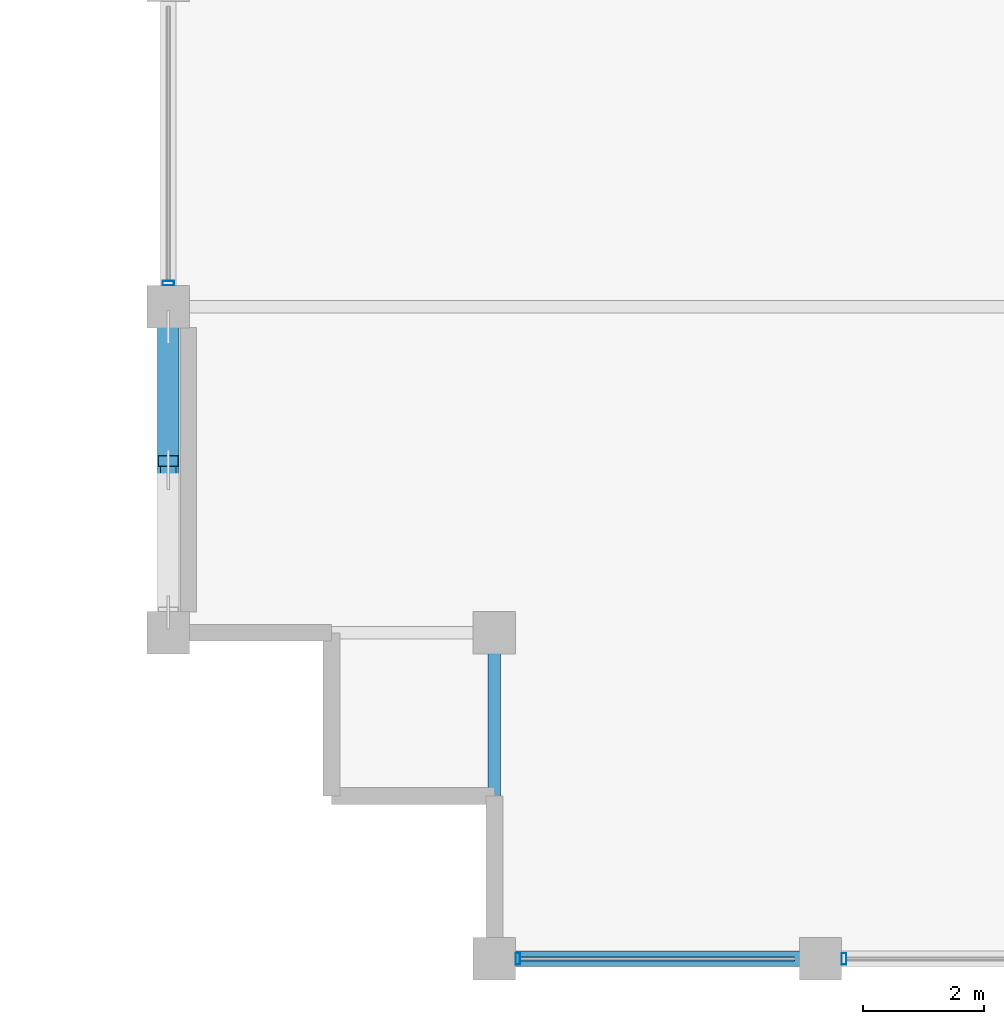
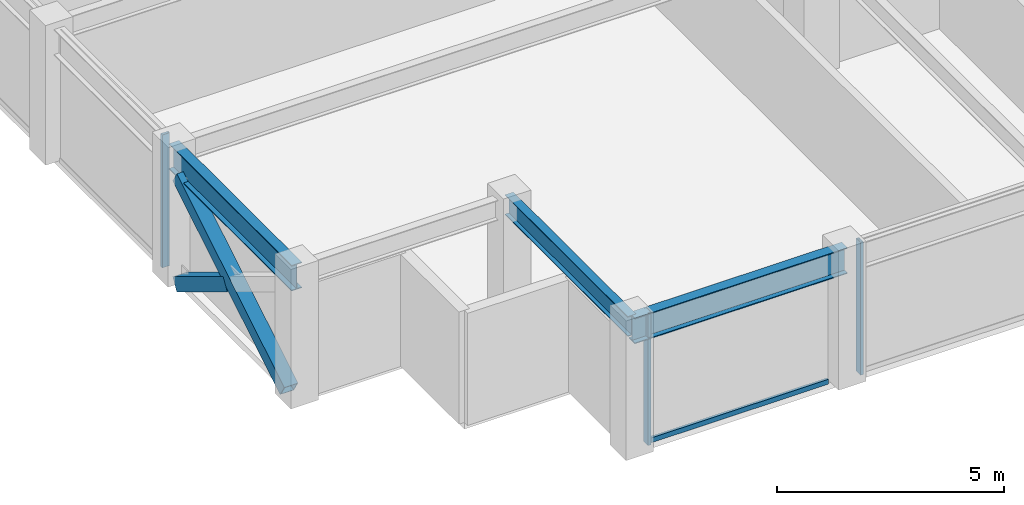
# One storey, part 2 of 31: 6 members, 3 beams, 2 elements without a shape of their own.
"""IFC4 building model written with IfcOpenShell, lengths in metres."""

import ifcopenshell
import ifcopenshell.guid

model = None  # the IFC model being written
_history = None  # IfcOwnerHistory: only IFC2X3 demands one
_inside = {}  # id of a spatial element -> (the spatial element, [elements in it])
_under = {}  # id of a project, library or spatial element -> (it, [spatial elements below it])
_declared = {}  # id of a project -> (the project, [libraries it declares])
_typed = {}  # id of a type object -> (the type object, [elements of that type])
_made_of = {}  # id of a material, layer set ... -> (it, [elements and type objects made of it])


def new_model(schema):
    """Start an empty IFC model of exactly this schema.

    Asked for "IFC4X3", IfcOpenShell would pick the latest addendum, in which some entities
    have other attributes; the version numbers below select the first issue.
    IFC2X3 requires an IfcOwnerHistory on every rooted entity: one is made here for all.
    """
    global model, _history
    if schema == "IFC4X3":
        model = ifcopenshell.file(schema_version=(4, 3, 0, 0))
    else:
        model = ifcopenshell.file(schema=schema)
    _inside.clear()
    _under.clear()
    _declared.clear()
    _typed.clear()
    _made_of.clear()
    _history = None
    if model.schema == "IFC2X3":
        org = make("IfcOrganization", Name="unknown")
        user = make(
            "IfcPersonAndOrganization",
            ThePerson=make("IfcPerson", FamilyName="unknown"),
            TheOrganization=org,
        )
        app = make(
            "IfcApplication",
            ApplicationDeveloper=org,
            Version="unknown",
            ApplicationFullName="unknown",
            ApplicationIdentifier="unknown",
        )
        _history = make(
            "IfcOwnerHistory",
            OwningUser=user,
            OwningApplication=app,
            ChangeAction="ADDED",
            CreationDate=0,
        )
    return model


def make(cls, **values):
    """One entity of the class cls with the attributes given. An attribute that is None is left unset."""
    return model.create_entity(
        cls, **{name: value for name, value in values.items() if value is not None}
    )


def rooted(cls, **values):
    """An entity with a GlobalId (a new one), such as an element, a storey or a relation."""
    return make(cls, GlobalId=ifcopenshell.guid.new(), OwnerHistory=_history, **values)


def si_unit(unit_type, name, prefix=None):
    """IfcSIUnit, for example si_unit("LENGTHUNIT", "METRE", prefix="MILLI")."""
    return make("IfcSIUnit", UnitType=unit_type, Prefix=prefix, Name=name)


def assignment(units):
    """IfcUnitAssignment: the units of a project."""
    return None if units is None else make("IfcUnitAssignment", Units=units)


def point(xyz):
    """IfcCartesianPoint."""
    return None if xyz is None else make("IfcCartesianPoint", Coordinates=xyz)


def direction(xyz):
    """IfcDirection."""
    return None if xyz is None else make("IfcDirection", DirectionRatios=xyz)


def frame(location, z_axis=None, x_axis=None):
    """IfcAxis2Placement3D, a coordinate frame: its origin and axes. An axis left out is left unset."""
    return make(
        "IfcAxis2Placement3D",
        Location=point(location),
        Axis=direction(z_axis),
        RefDirection=direction(x_axis),
    )


def frame_2d(location, x_axis=None):
    """IfcAxis2Placement2D, a coordinate frame in the plane: its origin and x axis."""
    return make(
        "IfcAxis2Placement2D", Location=point(location), RefDirection=direction(x_axis)
    )


def origin():
    """The frame at (0, 0, 0) with its axes left unset."""
    return frame((0.0, 0.0, 0.0))


def origin_2d():
    """The frame at (0, 0) in the plane with its x axis left unset."""
    return frame_2d((0.0, 0.0))


def place(relative_to, where):
    """IfcLocalPlacement: puts the frame where relative to a parent placement (None: the world)."""
    return make(
        "IfcLocalPlacement", PlacementRelTo=relative_to, RelativePlacement=where
    )


def context(
    kind, dimensions, precision=None, world=None, true_north=None, identifier=None
):
    """IfcGeometricRepresentationContext, for example the 3D "Model" context."""
    return make(
        "IfcGeometricRepresentationContext",
        ContextIdentifier=identifier,
        ContextType=kind,
        CoordinateSpaceDimension=dimensions,
        Precision=precision,
        WorldCoordinateSystem=world,
        TrueNorth=true_north,
    )


def subcontext(parent, identifier, kind, view, scale=None):
    """IfcGeometricRepresentationSubContext, for example "Body" below "Model"."""
    return make(
        "IfcGeometricRepresentationSubContext",
        ContextIdentifier=identifier,
        ContextType=kind,
        ParentContext=parent,
        TargetScale=scale,
        TargetView=view,
    )


def project(units=None, contexts=None):
    """IfcProject with its units and contexts."""
    return rooted(
        "IfcProject",
        Name="project",
        RepresentationContexts=contexts,
        UnitsInContext=assignment(units),
    )


def spatial(cls, under=None, at=None, **own):
    """A site, building, storey or space (cls), placed at a placement, below another one or the project."""
    s = rooted(cls, ObjectPlacement=at, **own)
    if under is not None:
        _under.setdefault(under.id(), (under, []))[1].append(s)
    return s


def profile(cls, at=None, kind="AREA", **sizes):
    """A parametric profile (cls). Its sizes go by their IFC names, for example OverallWidth=200.0."""
    return make(cls, ProfileType=kind, Position=at, **sizes)


def hollow_rectangle(**sizes):
    """IfcRectangleHollowProfileDef."""
    return profile("IfcRectangleHollowProfileDef", **sizes)


def i_section(**sizes):
    """IfcIShapeProfileDef."""
    return profile("IfcIShapeProfileDef", **sizes)


def extrude(swept, where, along, depth):
    """IfcExtrudedAreaSolid: the profile swept, set in the frame where, extruded along a direction by depth."""
    return make(
        "IfcExtrudedAreaSolid",
        SweptArea=swept,
        Position=where,
        ExtrudedDirection=direction(along),
        Depth=depth,
    )


def shape(context_of_items, identifier, shape_type, items):
    """IfcShapeRepresentation: the items that make up one representation, for example the "Body"."""
    return make(
        "IfcShapeRepresentation",
        ContextOfItems=context_of_items,
        RepresentationIdentifier=identifier,
        RepresentationType=shape_type,
        Items=items,
    )


def material(Name=None, Category=None):
    """IfcMaterial."""
    return make("IfcMaterial", Name=Name, Category=Category)


def layer(
    of_material, thickness, ventilated=None, Name=None, Category=None, Priority=None
):
    """IfcMaterialLayer: one layer of a wall or slab, of a material (None: an air gap)."""
    return make(
        "IfcMaterialLayer",
        Material=of_material,
        LayerThickness=thickness,
        IsVentilated=ventilated,
        Name=Name,
        Category=Category,
        Priority=Priority,
    )


def layer_set(layers, Name=None):
    """IfcMaterialLayerSet."""
    return make("IfcMaterialLayerSet", MaterialLayers=layers, LayerSetName=Name)


def material_profile(
    of_material, cross_section, Name=None, Category=None, Priority=None
):
    """IfcMaterialProfile: a cross section and its material."""
    return make(
        "IfcMaterialProfile",
        Name=Name,
        Material=of_material,
        Profile=cross_section,
        Priority=Priority,
        Category=Category,
    )


def profile_set(profiles, Name=None, composite=None):
    """IfcMaterialProfileSet."""
    return make(
        "IfcMaterialProfileSet",
        Name=Name,
        MaterialProfiles=profiles,
        CompositeProfile=composite,
    )


def made_of(thing, what):
    """Note that an element or type object is made of a material, layer set ...; save() writes the relation."""
    if what is not None:
        _made_of.setdefault(what.id(), (what, []))[1].append(thing)
    return thing


def type_object(cls, material=None, **own):
    """A type object (cls), such as IfcWallType, which elements share."""
    return made_of(rooted(cls, **own), material)


def element(
    cls,
    number,
    at=None,
    inside=None,
    cuts=None,
    type_object=None,
    material=None,
    context=None,
    identifier="Body",
    shape_type=None,
    held_by="IfcProductDefinitionShape",
    body=None,
    shapes=None,
    **own,
):
    """One element of the class cls, such as IfcWall. Its Tag is "e" and its number.

    at: its placement. inside: the storey or other place that contains it. cuts: it is an
    opening in that element (IfcRelVoidsElement). A single representation is given by context,
    identifier, shape_type and body (its items); several are given by shapes. held_by: the class
    of the entity that holds the representations. save() writes the other relations.
    """
    e = rooted(cls, Tag="e%d" % number, ObjectPlacement=at, **own)
    if body is not None:
        shapes = [shape(context, identifier, shape_type, body)]
    if shapes is not None:
        e.Representation = make(held_by, Representations=shapes)
    if inside is not None:
        _inside.setdefault(inside.id(), (inside, []))[1].append(e)
    if cuts is not None:
        rooted(
            "IfcRelVoidsElement", RelatingBuildingElement=cuts, RelatedOpeningElement=e
        )
    if type_object is not None:
        _typed.setdefault(type_object.id(), (type_object, []))[1].append(e)
    return made_of(e, material)


def aggregate(whole, parts):
    """IfcRelAggregates: a whole, such as a stair, and the parts it consists of."""
    return rooted("IfcRelAggregates", RelatingObject=whole, RelatedObjects=parts)


def save(model, path):
    """Write the relations noted so far, then the file.

    IfcRelAggregates (storeys below a building ...), IfcRelContainedInSpatialStructure (elements
    in a storey), IfcRelDefinesByType, IfcRelAssociatesMaterial and IfcRelDeclares: one each for
    every whole, place, type object, material and project.
    """
    for whole, parts in _under.values():
        aggregate(whole, parts)
    for where, things in _inside.values():
        rooted(
            "IfcRelContainedInSpatialStructure",
            RelatedElements=things,
            RelatingStructure=where,
        )
    for kind, things in _typed.values():
        rooted("IfcRelDefinesByType", RelatedObjects=things, RelatingType=kind)
    for what, things in _made_of.values():
        rooted("IfcRelAssociatesMaterial", RelatedObjects=things, RelatingMaterial=what)
    for by, libraries in _declared.values():
        rooted("IfcRelDeclares", RelatingContext=by, RelatedDefinitions=libraries)
    model.write(path)


model = new_model("IFC4")

# Units and contexts
model_context = context("Model", 3, precision=1e-05, world=origin(), true_north=direction((0.0, 1.0)))
body_context = subcontext(model_context, "Body", "Model", "MODEL_VIEW")
ifc_project = project(units=[si_unit("LENGTHUNIT", "METRE"), si_unit("AREAUNIT", "SQUARE_METRE"), si_unit("VOLUMEUNIT", "CUBIC_METRE"), si_unit("PLANEANGLEUNIT", "RADIAN"), si_unit("MASSUNIT", "GRAM", prefix="KILO")], contexts=[model_context])

# Site, building, storey
site_placement = place(None, origin())
site = spatial("IfcSite", under=ifc_project, at=site_placement, CompositionType="ELEMENT")
building_placement = place(site_placement, origin())
building = spatial("IfcBuilding", under=site, at=building_placement, Name="Surkhivell Harbour Commons", CompositionType="ELEMENT")
storey_placement = place(building_placement, frame((0.0, 0.0, 318.75)))
storey = spatial("IfcBuildingStorey", under=building, at=storey_placement, Name="L83", CompositionType="ELEMENT", Elevation=318.75)

# Beams
ifc_material_1 = material(Name="Steel S355", Category="steel")
ifc_material_profile_1 = material_profile(ifc_material_1, i_section(OverallWidth=0.2099609375, OverallDepth=0.537109375, WebThickness=0.0107421875, FlangeThickness=0.017333984375, at=origin_2d()), Name="UB533x210x101")
ifc_profile_set_1 = profile_set([ifc_material_profile_1], Name="Steel S355")
beam_type_1 = type_object("IfcBeamType", Name="BM-GRD-533B", PredefinedType="BEAM", material=ifc_profile_set_1)
beam_1_placement = place(storey_placement, frame((-21.60009765625, -21.60009765625, 3.301513671875), z_axis=(0.0, 1.0, 0.0), x_axis=(-1.0, 0.0, 0.0)))
element("IfcBeam", 1, at=beam_1_placement, inside=storey, type_object=beam_type_1, Name="L83 Floor Girder (-21.6,-21.6)", PredefinedType="BEAM", context=body_context, shape_type="SweptSolid", body=[
    extrude(i_section(OverallWidth=0.2099609375, OverallDepth=0.537109375, WebThickness=0.0107421875, FlangeThickness=0.017333984375, at=origin_2d()), origin(), (0.0, 0.0, 1.0), 5.400146484375),
])
ifc_material_profile_2 = material_profile(ifc_material_1, i_section(OverallWidth=0.256103515625, OverallDepth=0.693115234375, WebThickness=0.014404296875, FlangeThickness=0.023681640625, at=origin_2d()), Name="UB686x254x170")
ifc_profile_set_2 = profile_set([ifc_material_profile_2], Name="Steel S355")
beam_type_2 = type_object("IfcBeamType", Name="BM-SPN-686", PredefinedType="SPANDREL", material=ifc_profile_set_2)
beam_2_placement = place(storey_placement, frame((-27.0, -16.199951171875, 3.223388671875), z_axis=(0.0, 1.0, 0.0), x_axis=(-1.0, 0.0, 0.0)))
element("IfcBeam", 2, at=beam_2_placement, inside=storey, type_object=beam_type_2, Name="L83 Tube Spandrel (-27.0,-16.2)", PredefinedType="SPANDREL", context=body_context, shape_type="SweptSolid", body=[
    extrude(i_section(OverallWidth=0.256103515625, OverallDepth=0.693115234375, WebThickness=0.014404296875, FlangeThickness=0.023681640625, at=origin_2d()), origin(), (0.0, 0.0, 1.0), 5.39990234375),
])
beam_3_placement = place(storey_placement, frame((-21.60009765625, -21.60009765625, 3.223388671875), z_axis=(1.0, 0.0, 0.0), x_axis=(0.0, 1.0, 0.0)))
element("IfcBeam", 3, at=beam_3_placement, inside=storey, type_object=beam_type_2, Name="L83 Tube Spandrel (-21.6,-21.6)", PredefinedType="SPANDREL", context=body_context, shape_type="SweptSolid", body=[
    extrude(i_section(OverallWidth=0.256103515625, OverallDepth=0.693115234375, WebThickness=0.014404296875, FlangeThickness=0.023681640625, at=origin_2d()), origin(), (0.0, 0.0, 1.0), 5.400146484375),
])

# Curtain wall, members
ifc_material_2 = material(Name="Anodised pale-metal aluminium and insulated glazing", Category="aluminium")
ifc_layer = layer(ifc_material_2, 0.175048828125)
ifc_layer_set = layer_set([ifc_layer], Name="Anodised pale-metal aluminium and insulated glazing")
curtain_wall_type = type_object("IfcCurtainWallType", Name="CW-SYS-Z4", PredefinedType="NOTDEFINED", material=ifc_layer_set)
curtain_wall_1_placement = place(storey_placement, origin())
curtain_wall_1 = element("IfcCurtainWall", 4, at=curtain_wall_1_placement, inside=storey, type_object=curtain_wall_type, Name="L83 Curtain Wall CW-L83-E00S1", PredefinedType="NOTDEFINED")
ifc_material_3 = material(Name="Anodised pale-metal aluminium alloy 6063-T6", Category="aluminium")
ifc_material_profile_3 = material_profile(ifc_material_3, hollow_rectangle(XDim=0.074951171875, YDim=0.18994140625, WallThickness=0.00390625, at=origin_2d()), Name="ALU-MULL-75x190")
ifc_profile_set_3 = profile_set([ifc_material_profile_3], Name="Anodised pale-metal aluminium alloy 6063-T6")
member_type_1 = type_object("IfcMemberType", Name="CWM-190", PredefinedType="MULLION", material=ifc_profile_set_3)
member_1_placement = place(storey_placement, frame((-21.21044921875, -21.60009765625, 0.0), z_axis=(0.0, 0.0, 1.0), x_axis=(1.0, 0.0, 0.0)))
member_1 = element("IfcMember", 5, at=member_1_placement, type_object=member_type_1, Name="CW-Z4 mullion 1", PredefinedType="MULLION", context=body_context, shape_type="SweptSolid", body=[
    extrude(hollow_rectangle(XDim=0.074951171875, YDim=0.18994140625, WallThickness=0.00390625, at=origin_2d()), origin(), (0.0, 0.0, 1.0), 3.570068359375),
])
member_2_placement = place(storey_placement, frame((-15.810546875, -21.60009765625, 0.0), z_axis=(0.0, 0.0, 1.0), x_axis=(1.0, 0.0, 0.0)))
member_2 = element("IfcMember", 6, at=member_2_placement, type_object=member_type_1, Name="CW-Z4 mullion 2", PredefinedType="MULLION", context=body_context, shape_type="SweptSolid", body=[
    extrude(hollow_rectangle(XDim=0.074951171875, YDim=0.18994140625, WallThickness=0.00390625, at=origin_2d()), origin(), (0.0, 0.0, 1.0), 3.570068359375),
])

# Curtain wall, member
curtain_wall_2_placement = place(storey_placement, origin())
curtain_wall_2 = element("IfcCurtainWall", 7, at=curtain_wall_2_placement, inside=storey, type_object=curtain_wall_type, Name="L83 Curtain Wall CW-L83-E12R1S1", PredefinedType="NOTDEFINED")
member_3_placement = place(storey_placement, frame((-27.0, -10.410400390625, 0.0), z_axis=(0.0, 0.0, 1.0), x_axis=(0.0, 1.0, 0.0)))
member_3 = element("IfcMember", 8, at=member_3_placement, type_object=member_type_1, Name="CW-Z4 mullion 1", PredefinedType="MULLION", context=body_context, shape_type="SweptSolid", body=[
    extrude(hollow_rectangle(XDim=0.074951171875, YDim=0.18994140625, WallThickness=0.00390625, at=origin_2d()), origin(), (0.0, 0.0, 1.0), 3.570068359375),
])
aggregate(curtain_wall_2, [member_3])

# Member
ifc_material_4 = material(Name="Champagne anodised aluminium alloy 6063-T6", Category="aluminium")
ifc_material_profile_4 = material_profile(ifc_material_4, hollow_rectangle(XDim=0.070068359375, YDim=0.1298828125, WallThickness=0.00341796875, at=origin_2d()), Name="ALU-TRAN-70x130")
ifc_profile_set_4 = profile_set([ifc_material_profile_4], Name="Champagne anodised aluminium alloy 6063-T6")
member_type_2 = type_object("IfcMemberType", Name="CWT-130", PredefinedType="USERDEFINED", material=ifc_profile_set_4)
member_4_placement = place(storey_placement, frame((-21.173095703125, -21.60009765625, 0.06494140625), z_axis=(1.0, 0.0, 0.0), x_axis=(0.0, 1.0, 0.0)))
member_4 = element("IfcMember", 9, at=member_4_placement, type_object=member_type_2, Name="CW-Z4 transom 1.1", ObjectType="TRANSOM", PredefinedType="USERDEFINED", context=body_context, shape_type="SweptSolid", body=[
    extrude(hollow_rectangle(XDim=0.070068359375, YDim=0.1298828125, WallThickness=0.00341796875, at=origin_2d()), origin(), (0.0, 0.0, 1.0), 4.546142578125),
])

aggregate(curtain_wall_1, [member_1, member_4, member_2])

# Members
ifc_material_profile_5 = material_profile(ifc_material_1, hollow_rectangle(XDim=0.35009765625, YDim=0.35009765625, WallThickness=0.01611328125, at=origin_2d()), Name="SHS350x350x16")
ifc_profile_set_5 = profile_set([ifc_material_profile_5], Name="Steel S355")
member_type_3 = type_object("IfcMemberType", Name="MEM-BRC-SHS350", PredefinedType="BRACE", material=ifc_profile_set_5)
member_5_placement = place(storey_placement, frame((-27.0, -15.864990234375, 0.008056640625), z_axis=(0.0, 0.854685454322, 0.519146197299), x_axis=(-1.0, 0.0, 0.0)))
element("IfcMember", 10, at=member_5_placement, inside=storey, type_object=member_type_3, Name="L83 Perimeter Mega-Brace MB- 10", PredefinedType="BRACE", context=body_context, shape_type="SweptSolid", body=[
    extrude(hollow_rectangle(XDim=0.35009765625, YDim=0.35009765625, WallThickness=0.01611328125, at=origin_2d()), origin(), (0.0, 0.0, 1.0), 5.5341796875),
])
member_6_placement = place(storey_placement, frame((-27.0, -11.135009765625, 0.008056640625), z_axis=(0.0, -0.854678858595, 0.51915705588), x_axis=(1.0, 0.0, 0.0)))
element("IfcMember", 11, at=member_6_placement, inside=storey, type_object=member_type_3, Name="L83 Perimeter Mega-Brace MB- 11", PredefinedType="BRACE", context=body_context, shape_type="SweptSolid", body=[
    extrude(hollow_rectangle(XDim=0.35009765625, YDim=0.35009765625, WallThickness=0.01611328125, at=origin_2d()), origin(), (0.0, 0.0, 1.0), 2.59912109375),
])

save(model, "model.ifc")
